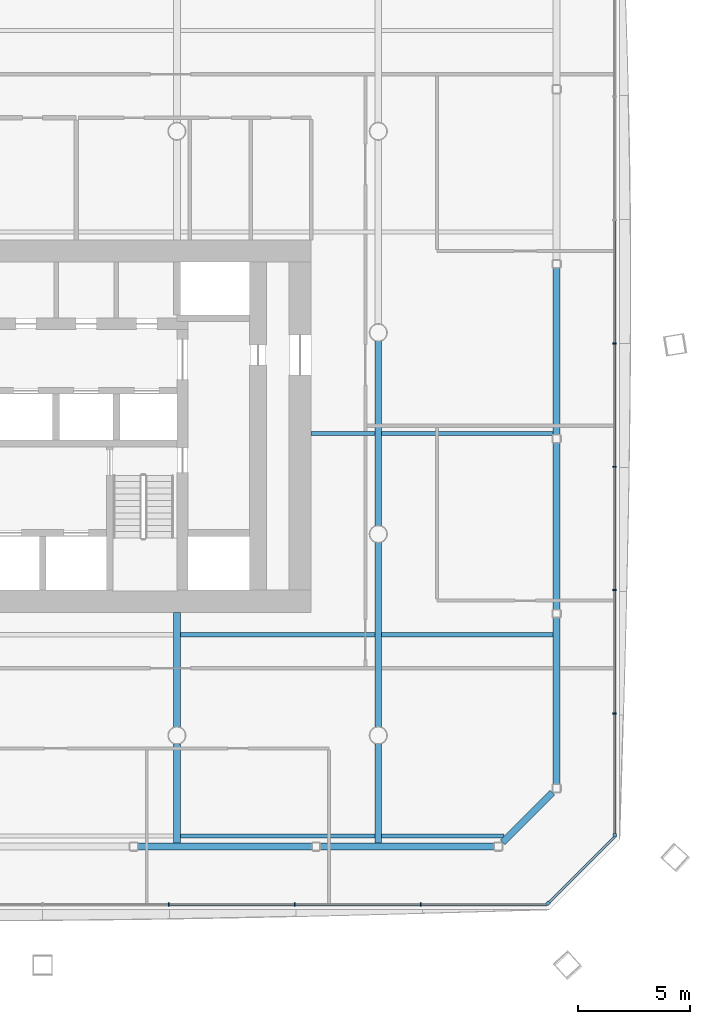
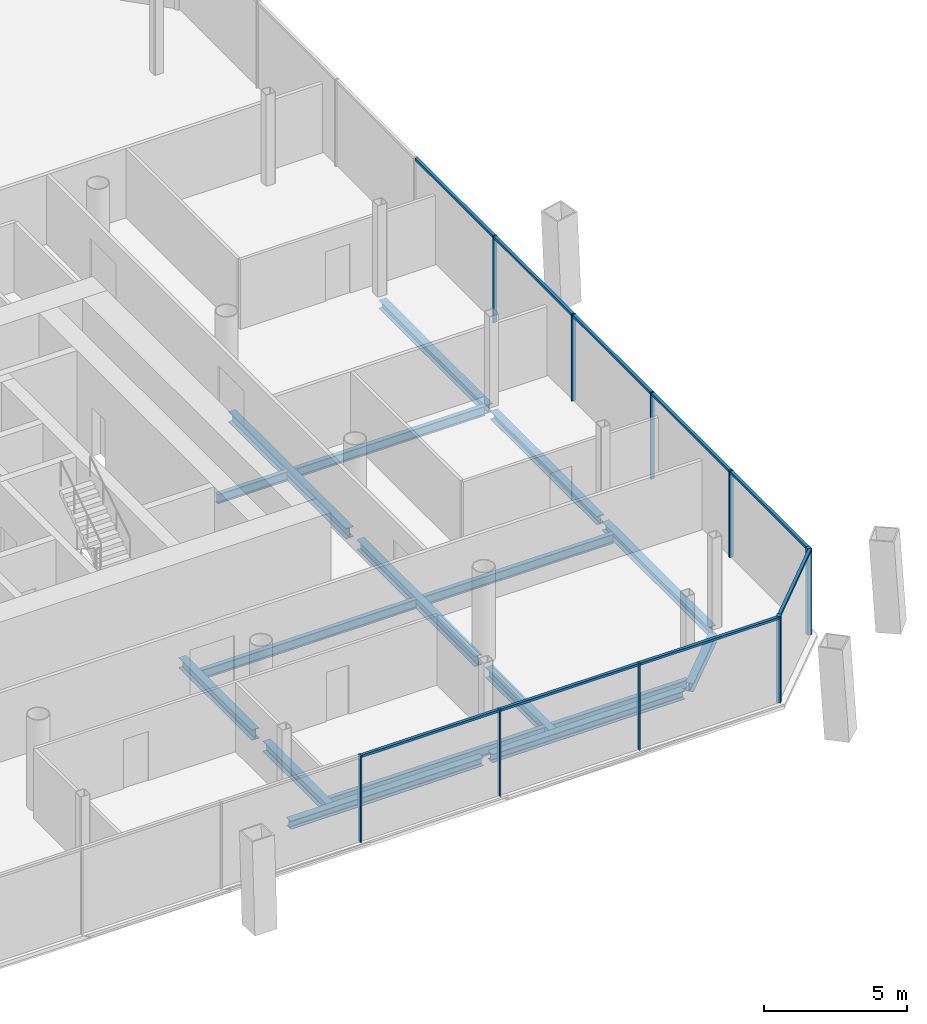
# One storey, part 6 of 20: 18 members, 17 beams, 3 elements without a shape of their own.
"""IFC4 building model written with IfcOpenShell, lengths in metres."""

from ifc_helpers import new_model, si_unit, direction, frame, origin, origin_2d, place, context, subcontext, project, spatial, rectangle, i_section, extrude, material, material_profile, profile_set, type_object, element, aggregate, save


model = new_model("IFC4")

# Units and contexts
model_context = context("Model", 3, precision=1e-05, world=origin(), true_north=direction((0.0, 1.0)))
body_context = subcontext(model_context, "Body", "Model", "MODEL_VIEW")
ifc_project = project(units=[si_unit("LENGTHUNIT", "METRE"), si_unit("AREAUNIT", "SQUARE_METRE"), si_unit("VOLUMEUNIT", "CUBIC_METRE"), si_unit("PLANEANGLEUNIT", "RADIAN"), si_unit("MASSUNIT", "GRAM", prefix="KILO")], contexts=[model_context])

# Site, building, storey
site_placement = place(None, origin())
site = spatial("IfcSite", under=ifc_project, at=site_placement, CompositionType="ELEMENT")
building_placement = place(site_placement, origin())
building = spatial("IfcBuilding", under=site, at=building_placement, Name="Tskaro Facet Tower", CompositionType="ELEMENT")
storey_placement = place(building_placement, frame((0.0, 0.0, 69.89990234375)))
storey = spatial("IfcBuildingStorey", under=building, at=storey_placement, Name="L16", CompositionType="ELEMENT", Elevation=69.89990234375)

# Curtain wall, member
ifc_material_1 = material(Name="Bronze anodised aluminium 6063-T6", Category="aluminium")
curtain_wall_type = type_object("IfcCurtainWallType", Name="Bronze office curtain wall (FW1)", PredefinedType="NOTDEFINED", material=ifc_material_1)
curtain_wall_1_placement = place(storey_placement, origin())
curtain_wall_1 = element("IfcCurtainWall", 1, at=curtain_wall_1_placement, inside=storey, type_object=curtain_wall_type, Name="FW1 south-east facet L16", PredefinedType="NOTDEFINED")
ifc_material_profile_1 = material_profile(ifc_material_1, rectangle(XDim=0.159912109375, YDim=0.159912109375, at=origin_2d()), Name="Corner post 160x160")
ifc_profile_set_1 = profile_set([ifc_material_profile_1], Name="Bronze anodised aluminium 6063-T6")
member_type_1 = type_object("IfcMemberType", Name="FW1 bronze corner post 160x160", PredefinedType="MULLION", material=ifc_profile_set_1)
member_1_placement = place(storey_placement, frame((25.587646484375, -25.50244140625, 0.0), z_axis=(0.0, 0.0, 1.0), x_axis=(0.707106781187, 0.707106781187, 0.0)))
member_1 = element("IfcMember", 2, at=member_1_placement, type_object=member_type_1, Name="FW1 south-east corner post", PredefinedType="MULLION", context=body_context, shape_type="SweptSolid", body=[
    extrude(rectangle(XDim=0.159912109375, YDim=0.159912109375, at=origin_2d()), origin(), (0.0, 0.0, 1.0), 3.7001953125),
])

curtain_wall_2_placement = place(storey_placement, origin())
curtain_wall_2 = element("IfcCurtainWall", 3, at=curtain_wall_2_placement, inside=storey, type_object=curtain_wall_type, Name="FW1 east facet L16", PredefinedType="NOTDEFINED")
member_2_placement = place(storey_placement, frame((28.55908203125, -22.450927734375, 0.0), z_axis=(0.0, 0.0, 1.0), x_axis=(0.0, 1.0, 0.0)))
member_2 = element("IfcMember", 4, at=member_2_placement, type_object=member_type_1, Name="FW1 east corner post", PredefinedType="MULLION", context=body_context, shape_type="SweptSolid", body=[
    extrude(rectangle(XDim=0.159912109375, YDim=0.159912109375, at=origin_2d()), origin(), (0.0, 0.0, 1.0), 3.7001953125),
])

# Curtain wall, members
curtain_wall_3_placement = place(storey_placement, origin())
curtain_wall_3 = element("IfcCurtainWall", 5, at=curtain_wall_3_placement, inside=storey, type_object=curtain_wall_type, Name="FW1 south facet L16", PredefinedType="NOTDEFINED")
ifc_material_profile_2 = material_profile(ifc_material_1, rectangle(XDim=0.06005859375, YDim=0.159912109375, at=origin_2d()), Name="Mullion 60x160")
ifc_profile_set_2 = profile_set([ifc_material_profile_2], Name="Bronze anodised aluminium 6063-T6")
member_type_2 = type_object("IfcMemberType", Name="FW1 bronze mullion 60x160", PredefinedType="MULLION", material=ifc_profile_set_2)
member_3_placement = place(storey_placement, frame((8.6328125, -25.55908203125, 0.0), z_axis=(0.0, 0.0, 1.0), x_axis=(1.0, 0.0, 0.0)))
member_3 = element("IfcMember", 6, at=member_3_placement, type_object=member_type_2, Name="FW1 south mullion 5", PredefinedType="MULLION", context=body_context, shape_type="SweptSolid", body=[
    extrude(rectangle(XDim=0.06005859375, YDim=0.159912109375, at=origin_2d()), origin(), (0.0, 0.0, 1.0), 3.7001953125),
])
member_4_placement = place(storey_placement, frame((14.265380859375, -25.55908203125, 0.0), z_axis=(0.0, 0.0, 1.0), x_axis=(1.0, 0.0, 0.0)))
member_4 = element("IfcMember", 7, at=member_4_placement, type_object=member_type_2, Name="FW1 south mullion 6", PredefinedType="MULLION", context=body_context, shape_type="SweptSolid", body=[
    extrude(rectangle(XDim=0.06005859375, YDim=0.159912109375, at=origin_2d()), origin(), (0.0, 0.0, 1.0), 3.7001953125),
])
member_5_placement = place(storey_placement, frame((19.898193359375, -25.55908203125, 0.0), z_axis=(0.0, 0.0, 1.0), x_axis=(1.0, 0.0, 0.0)))
member_5 = element("IfcMember", 8, at=member_5_placement, type_object=member_type_2, Name="FW1 south mullion 7", PredefinedType="MULLION", context=body_context, shape_type="SweptSolid", body=[
    extrude(rectangle(XDim=0.06005859375, YDim=0.159912109375, at=origin_2d()), origin(), (0.0, 0.0, 1.0), 3.7001953125),
])

# Member
member_6_placement = place(storey_placement, frame((28.55908203125, -17.017822265625, 0.0), z_axis=(0.0, 0.0, 1.0), x_axis=(0.0, 1.0, 0.0)))
member_6 = element("IfcMember", 9, at=member_6_placement, type_object=member_type_2, Name="FW1 east mullion 1", PredefinedType="MULLION", context=body_context, shape_type="SweptSolid", body=[
    extrude(rectangle(XDim=0.06005859375, YDim=0.159912109375, at=origin_2d()), origin(), (0.0, 0.0, 1.0), 3.7001953125),
])

member_7_placement = place(storey_placement, frame((28.55908203125, -11.504638671875, 0.0), z_axis=(0.0, 0.0, 1.0), x_axis=(0.0, 1.0, 0.0)))
member_7 = element("IfcMember", 10, at=member_7_placement, type_object=member_type_2, Name="FW1 east mullion 2", PredefinedType="MULLION", context=body_context, shape_type="SweptSolid", body=[
    extrude(rectangle(XDim=0.06005859375, YDim=0.159912109375, at=origin_2d()), origin(), (0.0, 0.0, 1.0), 3.7001953125),
])

member_8_placement = place(storey_placement, frame((28.55908203125, -5.99169921875, 0.0), z_axis=(0.0, 0.0, 1.0), x_axis=(0.0, 1.0, 0.0)))
member_8 = element("IfcMember", 11, at=member_8_placement, type_object=member_type_2, Name="FW1 east mullion 3", PredefinedType="MULLION", context=body_context, shape_type="SweptSolid", body=[
    extrude(rectangle(XDim=0.06005859375, YDim=0.159912109375, at=origin_2d()), origin(), (0.0, 0.0, 1.0), 3.7001953125),
])

member_9_placement = place(storey_placement, frame((28.55908203125, -0.478515625, 0.0), z_axis=(0.0, 0.0, 1.0), x_axis=(0.0, 1.0, 0.0)))
member_9 = element("IfcMember", 12, at=member_9_placement, type_object=member_type_2, Name="FW1 east mullion 4", PredefinedType="MULLION", context=body_context, shape_type="SweptSolid", body=[
    extrude(rectangle(XDim=0.06005859375, YDim=0.159912109375, at=origin_2d()), origin(), (0.0, 0.0, 1.0), 3.7001953125),
])

ifc_material_profile_3 = material_profile(ifc_material_1, rectangle(XDim=0.1201171875, YDim=0.10009765625, at=origin_2d()), Name="Transom 120x100")
ifc_profile_set_3 = profile_set([ifc_material_profile_3], Name="Bronze anodised aluminium 6063-T6")
member_type_3 = type_object("IfcMemberType", Name="FW1 bronze transom 120x100", PredefinedType="USERDEFINED", material=ifc_profile_set_3)
member_10_placement = place(storey_placement, frame((8.662841796875, -25.55908203125, 3.650146484375), z_axis=(1.0, 0.0, 0.0), x_axis=(0.0, 1.0, 0.0)))
member_10 = element("IfcMember", 13, at=member_10_placement, type_object=member_type_3, Name="FW1 south transom 6.1", ObjectType="TRANSOM", PredefinedType="USERDEFINED", context=body_context, shape_type="SweptSolid", body=[
    extrude(rectangle(XDim=0.1201171875, YDim=0.10009765625, at=origin_2d()), origin(), (0.0, 0.0, 1.0), 5.57275390625),
])

member_11_placement = place(storey_placement, frame((14.29541015625, -25.55908203125, 3.650146484375), z_axis=(1.0, 0.0, 0.0), x_axis=(0.0, 1.0, 0.0)))
member_11 = element("IfcMember", 14, at=member_11_placement, type_object=member_type_3, Name="FW1 south transom 7.1", ObjectType="TRANSOM", PredefinedType="USERDEFINED", context=body_context, shape_type="SweptSolid", body=[
    extrude(rectangle(XDim=0.1201171875, YDim=0.10009765625, at=origin_2d()), origin(), (0.0, 0.0, 1.0), 5.57275390625),
])

member_12_placement = place(storey_placement, frame((19.92822265625, -25.55908203125, 3.650146484375), z_axis=(1.0, 0.0, 0.0), x_axis=(0.0, 1.0, 0.0)))
member_12 = element("IfcMember", 15, at=member_12_placement, type_object=member_type_3, Name="FW1 south transom 8.1", ObjectType="TRANSOM", PredefinedType="USERDEFINED", context=body_context, shape_type="SweptSolid", body=[
    extrude(rectangle(XDim=0.1201171875, YDim=0.10009765625, at=origin_2d()), origin(), (0.0, 0.0, 1.0), 5.602783203125),
])

aggregate(curtain_wall_3, [member_3, member_4, member_5, member_10, member_11, member_12])

member_13_placement = place(storey_placement, frame((25.64404296875, -25.44580078125, 3.650146484375), z_axis=(0.707136392643, 0.70707716849, 0.0), x_axis=(-0.70707716849, 0.707136392643, 0.0)))
member_13 = element("IfcMember", 16, at=member_13_placement, type_object=member_type_3, Name="FW1 south-east transom 1.1", ObjectType="TRANSOM", PredefinedType="USERDEFINED", context=body_context, shape_type="SweptSolid", body=[
    extrude(rectangle(XDim=0.1201171875, YDim=0.10009765625, at=origin_2d()), origin(), (0.0, 0.0, 1.0), 4.122314453125),
])

aggregate(curtain_wall_1, [member_1, member_13])

member_14_placement = place(storey_placement, frame((28.55908203125, -22.37109375, 3.650146484375), z_axis=(0.0, 1.0, 0.0), x_axis=(-1.0, 0.0, 0.0)))
member_14 = element("IfcMember", 17, at=member_14_placement, type_object=member_type_3, Name="FW1 east transom 1.1", ObjectType="TRANSOM", PredefinedType="USERDEFINED", context=body_context, shape_type="SweptSolid", body=[
    extrude(rectangle(XDim=0.1201171875, YDim=0.10009765625, at=origin_2d()), origin(), (0.0, 0.0, 1.0), 5.3232421875),
])

member_15_placement = place(storey_placement, frame((28.55908203125, -16.98779296875, 3.650146484375), z_axis=(0.0, 1.0, 0.0), x_axis=(-1.0, 0.0, 0.0)))
member_15 = element("IfcMember", 18, at=member_15_placement, type_object=member_type_3, Name="FW1 east transom 2.1", ObjectType="TRANSOM", PredefinedType="USERDEFINED", context=body_context, shape_type="SweptSolid", body=[
    extrude(rectangle(XDim=0.1201171875, YDim=0.10009765625, at=origin_2d()), origin(), (0.0, 0.0, 1.0), 5.453125),
])

member_16_placement = place(storey_placement, frame((28.55908203125, -11.474853515625, 3.650146484375), z_axis=(0.0, 1.0, 0.0), x_axis=(-1.0, 0.0, 0.0)))
member_16 = element("IfcMember", 19, at=member_16_placement, type_object=member_type_3, Name="FW1 east transom 3.1", ObjectType="TRANSOM", PredefinedType="USERDEFINED", context=body_context, shape_type="SweptSolid", body=[
    extrude(rectangle(XDim=0.1201171875, YDim=0.10009765625, at=origin_2d()), origin(), (0.0, 0.0, 1.0), 5.453125),
])

member_17_placement = place(storey_placement, frame((28.55908203125, -5.961669921875, 3.650146484375), z_axis=(0.0, 1.0, 0.0), x_axis=(-1.0, 0.0, 0.0)))
member_17 = element("IfcMember", 20, at=member_17_placement, type_object=member_type_3, Name="FW1 east transom 4.1", ObjectType="TRANSOM", PredefinedType="USERDEFINED", context=body_context, shape_type="SweptSolid", body=[
    extrude(rectangle(XDim=0.1201171875, YDim=0.10009765625, at=origin_2d()), origin(), (0.0, 0.0, 1.0), 5.453125),
])

member_18_placement = place(storey_placement, frame((28.55908203125, -0.448486328125, 3.650146484375), z_axis=(0.0, 1.0, 0.0), x_axis=(-1.0, 0.0, 0.0)))
member_18 = element("IfcMember", 21, at=member_18_placement, type_object=member_type_3, Name="FW1 east transom 5.1", ObjectType="TRANSOM", PredefinedType="USERDEFINED", context=body_context, shape_type="SweptSolid", body=[
    extrude(rectangle(XDim=0.1201171875, YDim=0.10009765625, at=origin_2d()), origin(), (0.0, 0.0, 1.0), 5.453125),
])

aggregate(curtain_wall_2, [member_2, member_6, member_7, member_8, member_9, member_14, member_15, member_16, member_17, member_18])

# Beams
ifc_material_2 = material(Name="Steel S355J2", Category="steel")
ifc_material_profile_4 = material_profile(ifc_material_2, i_section(OverallWidth=0.300048828125, OverallDepth=0.360107421875, WebThickness=0.012451171875, FlangeThickness=0.0224609375, FilletRadius=0.027099609375, at=origin_2d()), Name="HE 360 B")
ifc_profile_set_4 = profile_set([ifc_material_profile_4], Name="Steel S355J2")
beam_type_1 = type_object("IfcBeamType", Name="HE 360 B ring beam", PredefinedType="BEAM", material=ifc_profile_set_4)
beam_1_placement = place(storey_placement, frame((7.2529296875, -22.965087890625, -0.31982421875), z_axis=(1.0, 0.0, 0.0), x_axis=(0.0, 1.0, 0.0)))
element("IfcBeam", 22, at=beam_1_placement, inside=storey, type_object=beam_type_1, Name="HE 360 B EB4-2", PredefinedType="BEAM", context=body_context, shape_type="SweptSolid", body=[
    extrude(i_section(OverallWidth=0.300048828125, OverallDepth=0.360107421875, WebThickness=0.012451171875, FlangeThickness=0.0224609375, FilletRadius=0.027099609375, at=origin_2d()), origin(), (0.0, 0.0, 1.0), 7.78515625),
])
beam_2_placement = place(storey_placement, frame((15.39794921875, -22.965087890625, -0.31982421875), z_axis=(1.0, 0.0, 0.0), x_axis=(0.0, 1.0, 0.0)))
element("IfcBeam", 23, at=beam_2_placement, inside=storey, type_object=beam_type_1, Name="HE 360 B EB5-2", PredefinedType="BEAM", context=body_context, shape_type="SweptSolid", body=[
    extrude(i_section(OverallWidth=0.300048828125, OverallDepth=0.360107421875, WebThickness=0.012451171875, FlangeThickness=0.0224609375, FilletRadius=0.027099609375, at=origin_2d()), origin(), (0.0, 0.0, 1.0), 7.7861328125),
])
beam_3_placement = place(storey_placement, frame((23.5498046875, -22.779052734375, -0.31982421875), z_axis=(0.707106781187, 0.707106781187, 0.0), x_axis=(-0.707106781187, 0.707106781187, 0.0)))
element("IfcBeam", 24, at=beam_3_placement, inside=storey, type_object=beam_type_1, Name="HE 360 B EB6-2", PredefinedType="BEAM", context=body_context, shape_type="SweptSolid", body=[
    extrude(i_section(OverallWidth=0.300048828125, OverallDepth=0.360107421875, WebThickness=0.012451171875, FlangeThickness=0.0224609375, FilletRadius=0.027099609375, at=origin_2d()), origin(), (0.0, 0.0, 1.0), 3.152587890625),
])
beam_4_placement = place(storey_placement, frame((25.965087890625, -20.18408203125, -0.31982421875), z_axis=(0.0, 1.0, 0.0), x_axis=(-1.0, 0.0, 0.0)))
element("IfcBeam", 25, at=beam_4_placement, inside=storey, type_object=beam_type_1, Name="HE 360 B EB7-2", PredefinedType="BEAM", context=body_context, shape_type="SweptSolid", body=[
    extrude(i_section(OverallWidth=0.300048828125, OverallDepth=0.360107421875, WebThickness=0.012451171875, FlangeThickness=0.0224609375, FilletRadius=0.027099609375, at=origin_2d()), origin(), (0.0, 0.0, 1.0), 7.451171875),
])
beam_5_placement = place(storey_placement, frame((25.965087890625, -12.373046875, -0.31982421875), z_axis=(0.0, 1.0, 0.0), x_axis=(-1.0, 0.0, 0.0)))
element("IfcBeam", 26, at=beam_5_placement, inside=storey, type_object=beam_type_1, Name="HE 360 B EB8-2", PredefinedType="BEAM", context=body_context, shape_type="SweptSolid", body=[
    extrude(i_section(OverallWidth=0.300048828125, OverallDepth=0.360107421875, WebThickness=0.012451171875, FlangeThickness=0.0224609375, FilletRadius=0.027099609375, at=origin_2d()), origin(), (0.0, 0.0, 1.0), 7.450927734375),
])
beam_6_placement = place(storey_placement, frame((25.965087890625, -4.56201171875, -0.31982421875), z_axis=(0.0, 1.0, 0.0), x_axis=(-1.0, 0.0, 0.0)))
element("IfcBeam", 27, at=beam_6_placement, inside=storey, type_object=beam_type_1, Name="HE 360 B EB9-2", PredefinedType="BEAM", context=body_context, shape_type="SweptSolid", body=[
    extrude(i_section(OverallWidth=0.300048828125, OverallDepth=0.360107421875, WebThickness=0.012451171875, FlangeThickness=0.0224609375, FilletRadius=0.027099609375, at=origin_2d()), origin(), (0.0, 0.0, 1.0), 7.449951171875),
])
ifc_material_profile_5 = material_profile(ifc_material_2, i_section(OverallWidth=0.300048828125, OverallDepth=0.43994140625, WebThickness=0.011474609375, FlangeThickness=0.02099609375, FilletRadius=0.027099609375, at=origin_2d()), Name="HE 450 A")
ifc_profile_set_5 = profile_set([ifc_material_profile_5], Name="Steel S355J2")
beam_type_2 = type_object("IfcBeamType", Name="HE 450 A girder", PredefinedType="BEAM", material=ifc_profile_set_5)
beam_7_placement = place(storey_placement, frame((9.0, -22.81494140625, -0.35986328125), z_axis=(0.0, 1.0, 0.0), x_axis=(-1.0, 0.0, 0.0)))
element("IfcBeam", 28, at=beam_7_placement, inside=storey, type_object=beam_type_2, Name="HE 450 A GB5-1-2", PredefinedType="BEAM", context=body_context, shape_type="SweptSolid", body=[
    extrude(i_section(OverallWidth=0.300048828125, OverallDepth=0.43994140625, WebThickness=0.011474609375, FlangeThickness=0.02099609375, FilletRadius=0.027099609375, at=origin_2d()), origin(), (0.0, 0.0, 1.0), 4.4384765625),
])
beam_8_placement = place(storey_placement, frame((9.0, -17.62353515625, -0.35986328125), z_axis=(0.0, 1.0, 0.0), x_axis=(-1.0, 0.0, 0.0)))
element("IfcBeam", 29, at=beam_8_placement, inside=storey, type_object=beam_type_2, Name="HE 450 A GB5-2-2", PredefinedType="BEAM", context=body_context, shape_type="SweptSolid", body=[
    extrude(i_section(OverallWidth=0.300048828125, OverallDepth=0.43994140625, WebThickness=0.011474609375, FlangeThickness=0.02099609375, FilletRadius=0.027099609375, at=origin_2d()), origin(), (0.0, 0.0, 1.0), 5.12353515625),
])
beam_9_placement = place(storey_placement, frame((18.0, -22.81494140625, -0.35986328125), z_axis=(0.0, 1.0, 0.0), x_axis=(-1.0, 0.0, 0.0)))
element("IfcBeam", 30, at=beam_9_placement, inside=storey, type_object=beam_type_2, Name="HE 450 A GB6-1-2", PredefinedType="BEAM", context=body_context, shape_type="SweptSolid", body=[
    extrude(i_section(OverallWidth=0.300048828125, OverallDepth=0.43994140625, WebThickness=0.011474609375, FlangeThickness=0.02099609375, FilletRadius=0.027099609375, at=origin_2d()), origin(), (0.0, 0.0, 1.0), 4.4384765625),
])
for number, where, z_axis, x_axis, name in (
    (31, (18.0, -17.62353515625, -0.35986328125), (0.0, 1.0, 0.0), (-1.0, 0.0, 0.0), "HE 450 A GB6-2-2"),
    (32, (18.0, -8.62353515625, -0.35986328125), (0.0, 1.0, 0.0), (-1.0, 0.0, 0.0), "HE 450 A GB6-3-2"),
):
    element("IfcBeam", number, at=place(storey_placement, frame(where, z_axis=z_axis, x_axis=x_axis)), inside=storey, type_object=beam_type_2, Name=name, PredefinedType="BEAM", context=body_context, shape_type="SweptSolid", body=[
        extrude(i_section(OverallWidth=0.300048828125, OverallDepth=0.43994140625, WebThickness=0.011474609375, FlangeThickness=0.02099609375, FilletRadius=0.027099609375, at=origin_2d()), origin(), (0.0, 0.0, 1.0), 8.2470703125),
    ])
ifc_material_profile_6 = material_profile(ifc_material_2, i_section(OverallWidth=0.179931640625, OverallDepth=0.39990234375, WebThickness=0.008544921875, FlangeThickness=0.013427734375, FilletRadius=0.02099609375, at=origin_2d()), Name="IPE 400")
ifc_profile_set_6 = profile_set([ifc_material_profile_6], Name="Steel S355J2")
beam_type_3 = type_object("IfcBeamType", Name="IPE 400 secondary beam", PredefinedType="BEAM", material=ifc_profile_set_6)
beam_10_placement = place(storey_placement, frame((9.14990234375, -22.5, -0.33984375), z_axis=(1.0, 0.0, 0.0), x_axis=(0.0, 1.0, 0.0)))
element("IfcBeam", 33, at=beam_10_placement, inside=storey, type_object=beam_type_3, Name="IPE 400 SB1a-4-2", PredefinedType="BEAM", context=body_context, shape_type="SweptSolid", body=[
    extrude(i_section(OverallWidth=0.179931640625, OverallDepth=0.39990234375, WebThickness=0.008544921875, FlangeThickness=0.013427734375, FilletRadius=0.02099609375, at=origin_2d()), origin(), (0.0, 0.0, 1.0), 8.7001953125),
])
beam_11_placement = place(storey_placement, frame((18.14990234375, -22.5, -0.33984375), z_axis=(1.0, 0.0, 0.0), x_axis=(0.0, 1.0, 0.0)))
element("IfcBeam", 34, at=beam_11_placement, inside=storey, type_object=beam_type_3, Name="IPE 400 SB1a-5-2", PredefinedType="BEAM", context=body_context, shape_type="SweptSolid", body=[
    extrude(i_section(OverallWidth=0.179931640625, OverallDepth=0.39990234375, WebThickness=0.008544921875, FlangeThickness=0.013427734375, FilletRadius=0.02099609375, at=origin_2d()), origin(), (0.0, 0.0, 1.0), 5.467041015625),
])
beam_12_placement = place(storey_placement, frame((9.14990234375, -13.5, -0.33984375), z_axis=(1.0, 0.0, 0.0), x_axis=(0.0, 1.0, 0.0)))
element("IfcBeam", 35, at=beam_12_placement, inside=storey, type_object=beam_type_3, Name="IPE 400 SB2a-4-2", PredefinedType="BEAM", context=body_context, shape_type="SweptSolid", body=[
    extrude(i_section(OverallWidth=0.179931640625, OverallDepth=0.39990234375, WebThickness=0.008544921875, FlangeThickness=0.013427734375, FilletRadius=0.02099609375, at=origin_2d()), origin(), (0.0, 0.0, 1.0), 8.7001953125),
])
beam_13_placement = place(storey_placement, frame((18.14990234375, -13.5, -0.33984375), z_axis=(1.0, 0.0, 0.0), x_axis=(0.0, 1.0, 0.0)))
element("IfcBeam", 36, at=beam_13_placement, inside=storey, type_object=beam_type_3, Name="IPE 400 SB2a-5-2", PredefinedType="BEAM", context=body_context, shape_type="SweptSolid", body=[
    extrude(i_section(OverallWidth=0.179931640625, OverallDepth=0.39990234375, WebThickness=0.008544921875, FlangeThickness=0.013427734375, FilletRadius=0.02099609375, at=origin_2d()), origin(), (0.0, 0.0, 1.0), 7.6650390625),
])
beam_14_placement = place(storey_placement, frame((15.0, -4.5, -0.33984375), z_axis=(1.0, 0.0, 0.0), x_axis=(0.0, 1.0, 0.0)))
element("IfcBeam", 37, at=beam_14_placement, inside=storey, type_object=beam_type_3, Name="IPE 400 SB3a-2-2", PredefinedType="BEAM", context=body_context, shape_type="SweptSolid", body=[
    extrude(i_section(OverallWidth=0.179931640625, OverallDepth=0.39990234375, WebThickness=0.008544921875, FlangeThickness=0.013427734375, FilletRadius=0.02099609375, at=origin_2d()), origin(), (0.0, 0.0, 1.0), 2.85009765625),
])
beam_15_placement = place(storey_placement, frame((18.14990234375, -4.5, -0.33984375), z_axis=(1.0, 0.0, 0.0), x_axis=(0.0, 1.0, 0.0)))
element("IfcBeam", 38, at=beam_15_placement, inside=storey, type_object=beam_type_3, Name="IPE 400 SB3a-3-2", PredefinedType="BEAM", context=body_context, shape_type="SweptSolid", body=[
    extrude(i_section(OverallWidth=0.179931640625, OverallDepth=0.39990234375, WebThickness=0.008544921875, FlangeThickness=0.013427734375, FilletRadius=0.02099609375, at=origin_2d()), origin(), (0.0, 0.0, 1.0), 7.6650390625),
])

save(model, "model.ifc")
